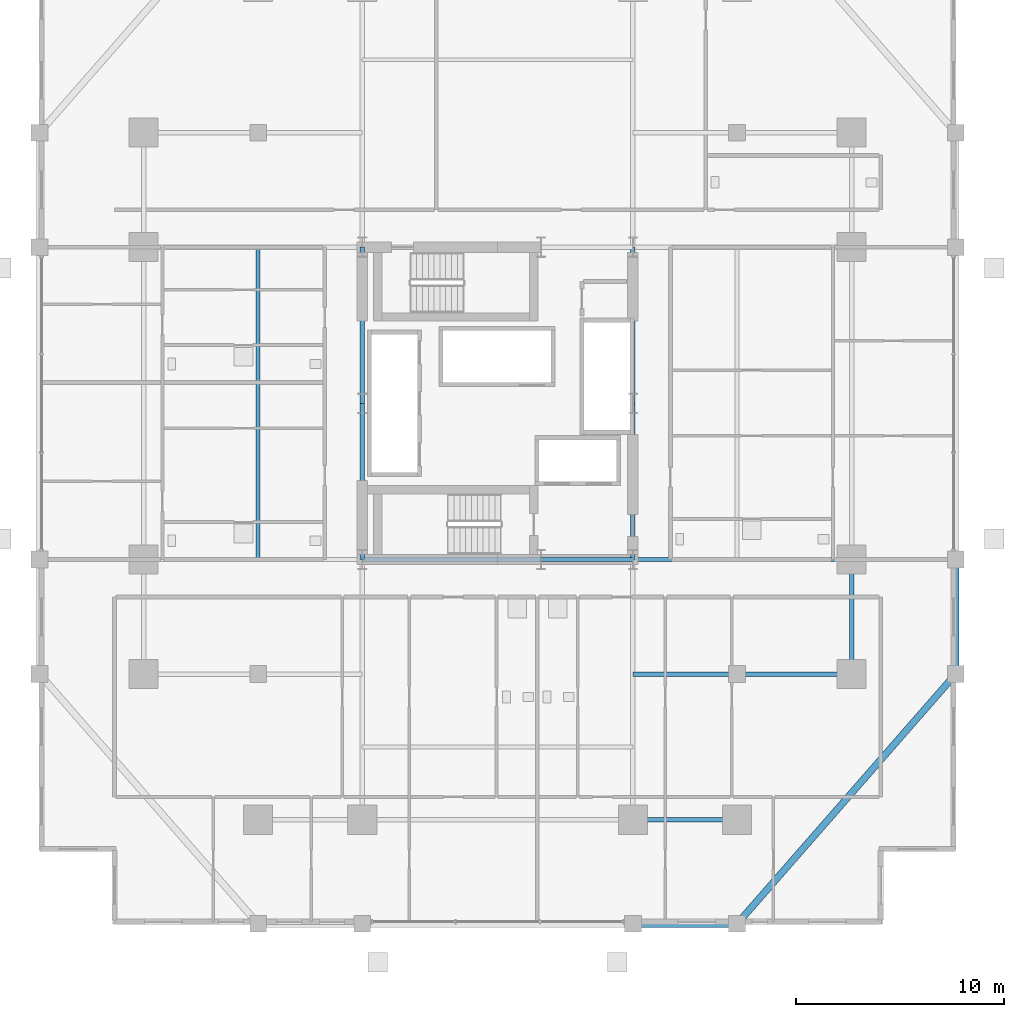
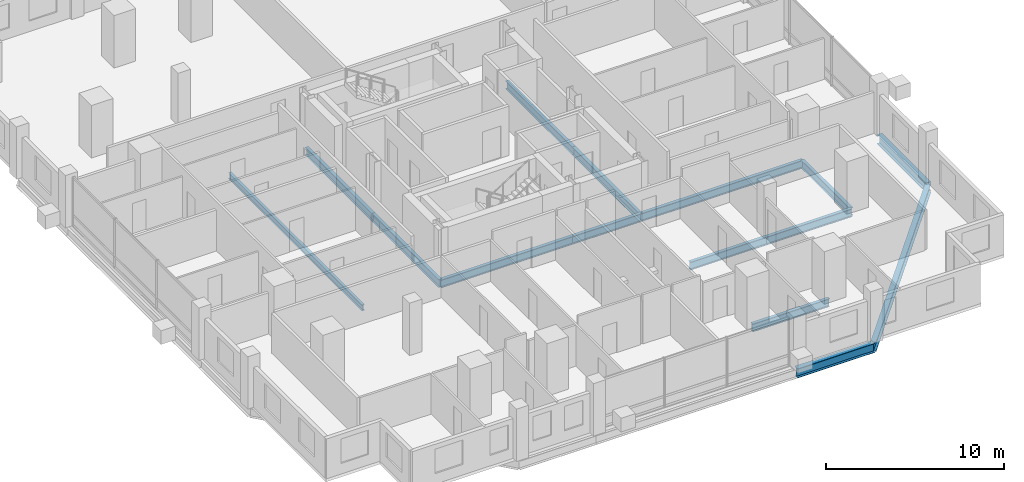
# One storey, part 7 of 23: 15 beams.
"""IFC4 building model written with IfcOpenShell, lengths in metres."""

from ifc_helpers import new_model, si_unit, direction, frame, origin, origin_2d, place, context, subcontext, project, spatial, i_section, extrude, material, material_profile, profile_set, type_object, element, save


model = new_model("IFC4")

# Units and contexts
model_context = context("Model", 3, precision=1e-05, world=origin(), true_north=direction((0.0, 1.0)))
body_context = subcontext(model_context, "Body", "Model", "MODEL_VIEW")
ifc_project = project(units=[si_unit("LENGTHUNIT", "METRE"), si_unit("AREAUNIT", "SQUARE_METRE"), si_unit("VOLUMEUNIT", "CUBIC_METRE"), si_unit("PLANEANGLEUNIT", "RADIAN"), si_unit("MASSUNIT", "GRAM", prefix="KILO")], contexts=[model_context])

# Site, building, storey
site_placement = place(None, origin())
site = spatial("IfcSite", under=ifc_project, at=site_placement, CompositionType="ELEMENT")
building_placement = place(site_placement, origin())
building = spatial("IfcBuilding", under=site, at=building_placement, Name="Barlavira Tower and Art Museum", CompositionType="ELEMENT")
storey_placement = place(building_placement, frame((0.0, 0.0, 54.0)))
storey = spatial("IfcBuildingStorey", under=building, at=storey_placement, Name="L12", CompositionType="ELEMENT", Elevation=54.0)

# Beams
ifc_material = material(Name="Steel S355", Category="steel")
ifc_material_profile_1 = material_profile(ifc_material, i_section(OverallWidth=0.327880859375, OverallDepth=0.62890625, WebThickness=0.013916015625, FlangeThickness=0.021484375, at=origin_2d()), Name="W610x174.0")
ifc_profile_set_1 = profile_set([ifc_material_profile_1], Name="Steel S355")
beam_type_1 = type_object("IfcBeamType", Name="Perimeter Spandrel Edge Beam W610x174 Steel S355", PredefinedType="SPANDREL", material=ifc_profile_set_1)
beam_1_placement = place(storey_placement, frame((6.5, -25.0, -0.534423828125), z_axis=(1.0, 0.0, 0.0), x_axis=(0.0, 1.0, 0.0)))
element("IfcBeam", 1, at=beam_1_placement, inside=storey, type_object=beam_type_1, Name="L12 Spandrel 3", PredefinedType="SPANDREL", context=body_context, shape_type="SweptSolid", body=[
    extrude(i_section(OverallWidth=0.327880859375, OverallDepth=0.62890625, WebThickness=0.013916015625, FlangeThickness=0.021484375, at=origin_2d()), origin(), (0.0, 0.0, 1.0), 5.0),
])
beam_2_placement = place(storey_placement, frame((11.5, -25.0, -0.534423828125), z_axis=(0.658504607869, 0.752576694707, 0.0), x_axis=(-0.752576694707, 0.658504607869, 0.0)))
element("IfcBeam", 2, at=beam_2_placement, inside=storey, type_object=beam_type_1, Name="L12 Spandrel 4", PredefinedType="SPANDREL", context=body_context, shape_type="SweptSolid", body=[
    extrude(i_section(OverallWidth=0.327880859375, OverallDepth=0.62890625, WebThickness=0.013916015625, FlangeThickness=0.021484375, at=origin_2d()), origin(), (0.0, 0.0, 1.0), 15.9453125),
])
beam_3_placement = place(storey_placement, frame((22.0, -13.0, -0.534423828125), z_axis=(0.0, 1.0, 0.0), x_axis=(-1.0, 0.0, 0.0)))
element("IfcBeam", 3, at=beam_3_placement, inside=storey, type_object=beam_type_1, Name="L12 Spandrel 5", PredefinedType="SPANDREL", context=body_context, shape_type="SweptSolid", body=[
    extrude(i_section(OverallWidth=0.327880859375, OverallDepth=0.62890625, WebThickness=0.013916015625, FlangeThickness=0.021484375, at=origin_2d()), origin(), (0.0, 0.0, 1.0), 5.5),
])
ifc_material_profile_2 = material_profile(ifc_material, i_section(OverallWidth=0.180908203125, OverallDepth=0.4169921875, WebThickness=0.010986328125, FlangeThickness=0.018310546875, at=origin_2d()), Name="W410x85.0")
ifc_profile_set_2 = profile_set([ifc_material_profile_2], Name="Steel S355")
beam_type_2 = type_object("IfcBeamType", Name="Zone 1 Composite Floor Joist W410x85 Steel S355", PredefinedType="JOIST", material=ifc_profile_set_2)
beam_4_placement = place(storey_placement, frame((-11.5, -7.5, -0.428466796875), z_axis=(0.0, 1.0, 0.0), x_axis=(-1.0, 0.0, 0.0)))
element("IfcBeam", 4, at=beam_4_placement, inside=storey, type_object=beam_type_2, Name="L12 Joist W1", PredefinedType="JOIST", context=body_context, shape_type="SweptSolid", body=[
    extrude(i_section(OverallWidth=0.180908203125, OverallDepth=0.4169921875, WebThickness=0.010986328125, FlangeThickness=0.018310546875, at=origin_2d()), origin(), (0.0, 0.0, 1.0), 15.0),
])
ifc_material_profile_3 = material_profile(ifc_material, i_section(OverallWidth=0.214111328125, OverallDepth=0.549072265625, WebThickness=0.0146484375, FlangeThickness=0.023681640625, at=origin_2d()), Name="W530x138.0")
ifc_profile_set_3 = profile_set([ifc_material_profile_3], Name="Steel S355")
beam_type_3 = type_object("IfcBeamType", Name="Zone 1 Primary Floor Girder W530x138 Steel S355", PredefinedType="BEAM", material=ifc_profile_set_3)
beam_5_placement = place(storey_placement, frame((-6.5, -7.5, -0.494384765625), z_axis=(1.0, 0.0, 0.0), x_axis=(0.0, 1.0, 0.0)))
element("IfcBeam", 5, at=beam_5_placement, inside=storey, type_object=beam_type_3, Name="L12 Girder C-S1", PredefinedType="BEAM", context=body_context, shape_type="SweptSolid", body=[
    extrude(i_section(OverallWidth=0.214111328125, OverallDepth=0.549072265625, WebThickness=0.0146484375, FlangeThickness=0.023681640625, at=origin_2d()), origin(), (0.0, 0.0, 1.0), 8.580078125),
])
beam_6_placement = place(storey_placement, frame((2.080078125, -7.5, -0.494384765625), z_axis=(1.0, 0.0, 0.0), x_axis=(0.0, 1.0, 0.0)))
element("IfcBeam", 6, at=beam_6_placement, inside=storey, type_object=beam_type_3, Name="L12 Girder C-S2", PredefinedType="BEAM", context=body_context, shape_type="SweptSolid", body=[
    extrude(i_section(OverallWidth=0.214111328125, OverallDepth=0.549072265625, WebThickness=0.0146484375, FlangeThickness=0.023681640625, at=origin_2d()), origin(), (0.0, 0.0, 1.0), 4.419921875),
])
for number, where, z_axis, x_axis, name in (
    (7, (-6.5, -7.5, -0.494384765625), (0.0, 1.0, 0.0), (-1.0, 0.0, 0.0), "L12 Girder C-W1"),
    (8, (-6.5, 0.0, -0.494384765625), (0.0, 1.0, 0.0), (-1.0, 0.0, 0.0), "L12 Girder C-W2"),
    (9, (6.5, -7.5, -0.494384765625), (0.0, 1.0, 0.0), (-1.0, 0.0, 0.0), "L12 Girder C-E1"),
    (10, (6.5, 0.0, -0.494384765625), (0.0, 1.0, 0.0), (-1.0, 0.0, 0.0), "L12 Girder C-E2"),
):
    element("IfcBeam", number, at=place(storey_placement, frame(where, z_axis=z_axis, x_axis=x_axis)), inside=storey, type_object=beam_type_3, Name=name, PredefinedType="BEAM", context=body_context, shape_type="SweptSolid", body=[
        extrude(i_section(OverallWidth=0.214111328125, OverallDepth=0.549072265625, WebThickness=0.0146484375, FlangeThickness=0.023681640625, at=origin_2d()), origin(), (0.0, 0.0, 1.0), 7.5),
    ])
beam_7_placement = place(storey_placement, frame((6.5, -20.0, -0.494384765625), z_axis=(1.0, 0.0, 0.0), x_axis=(0.0, 1.0, 0.0)))
element("IfcBeam", 11, at=beam_7_placement, inside=storey, type_object=beam_type_3, Name="L12 Girder M-S3", PredefinedType="BEAM", context=body_context, shape_type="SweptSolid", body=[
    extrude(i_section(OverallWidth=0.214111328125, OverallDepth=0.549072265625, WebThickness=0.0146484375, FlangeThickness=0.023681640625, at=origin_2d()), origin(), (0.0, 0.0, 1.0), 5.0),
])
beam_8_placement = place(storey_placement, frame((17.0, -13.0, -0.494384765625), z_axis=(0.0, 1.0, 0.0), x_axis=(-1.0, 0.0, 0.0)))
element("IfcBeam", 12, at=beam_8_placement, inside=storey, type_object=beam_type_3, Name="L12 Girder M-E1", PredefinedType="BEAM", context=body_context, shape_type="SweptSolid", body=[
    extrude(i_section(OverallWidth=0.214111328125, OverallDepth=0.549072265625, WebThickness=0.0146484375, FlangeThickness=0.023681640625, at=origin_2d()), origin(), (0.0, 0.0, 1.0), 5.5),
])
beam_9_placement = place(storey_placement, frame((6.5, -7.5, -0.494384765625), z_axis=(1.0, 0.0, 0.0), x_axis=(0.0, 1.0, 0.0)))
element("IfcBeam", 13, at=beam_9_placement, inside=storey, type_object=beam_type_3, Name="L12 Girder R-E1", PredefinedType="BEAM", context=body_context, shape_type="SweptSolid", body=[
    extrude(i_section(OverallWidth=0.214111328125, OverallDepth=0.549072265625, WebThickness=0.0146484375, FlangeThickness=0.023681640625, at=origin_2d()), origin(), (0.0, 0.0, 1.0), 10.5),
])
beam_10_placement = place(storey_placement, frame((6.5, -13.0, -0.494384765625), z_axis=(1.0, 0.0, 0.0), x_axis=(0.0, 1.0, 0.0)))
element("IfcBeam", 14, at=beam_10_placement, inside=storey, type_object=beam_type_3, Name="L12 Girder I-S3", PredefinedType="BEAM", context=body_context, shape_type="SweptSolid", body=[
    extrude(i_section(OverallWidth=0.214111328125, OverallDepth=0.549072265625, WebThickness=0.0146484375, FlangeThickness=0.023681640625, at=origin_2d()), origin(), (0.0, 0.0, 1.0), 5.0),
])
beam_11_placement = place(storey_placement, frame((11.5, -13.0, -0.494384765625), z_axis=(1.0, 0.0, 0.0), x_axis=(0.0, 1.0, 0.0)))
element("IfcBeam", 15, at=beam_11_placement, inside=storey, type_object=beam_type_3, Name="L12 Girder I-S4", PredefinedType="BEAM", context=body_context, shape_type="SweptSolid", body=[
    extrude(i_section(OverallWidth=0.214111328125, OverallDepth=0.549072265625, WebThickness=0.0146484375, FlangeThickness=0.023681640625, at=origin_2d()), origin(), (0.0, 0.0, 1.0), 5.5),
])

save(model, "model.ifc")
